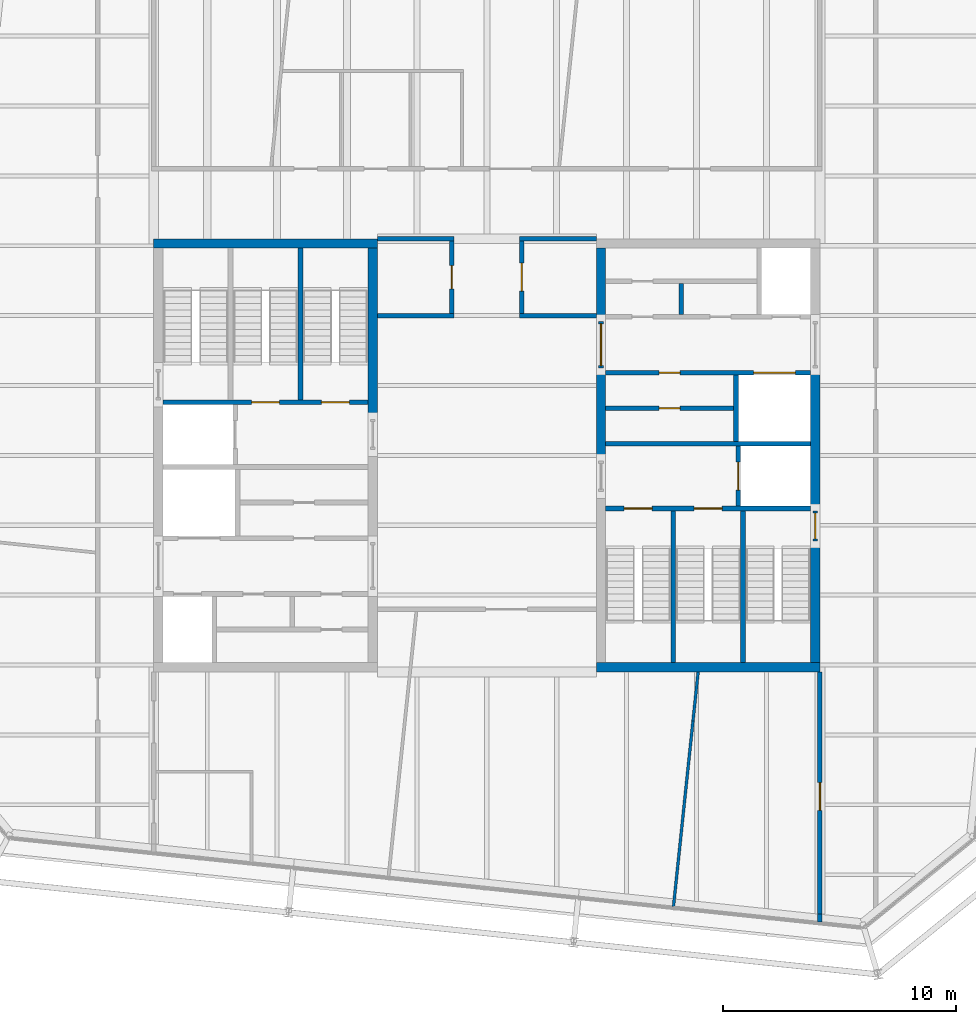
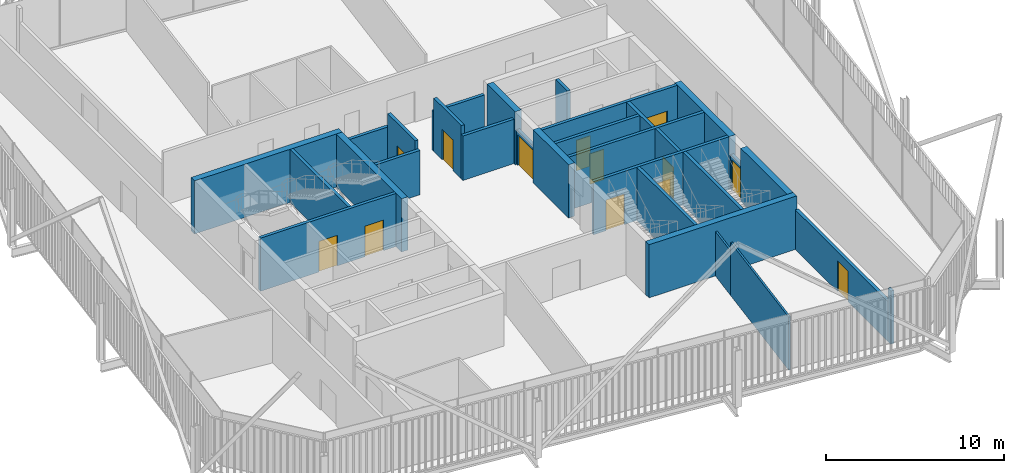
# One storey, part 18 of 21: 30 walls, 13 doors, 13 openings.
"""IFC4 building model written with IfcOpenShell, lengths in metres."""

import ifcopenshell
import ifcopenshell.guid

model = None  # the IFC model being written
_history = None  # IfcOwnerHistory: only IFC2X3 demands one
_inside = {}  # id of a spatial element -> (the spatial element, [elements in it])
_under = {}  # id of a project, library or spatial element -> (it, [spatial elements below it])
_declared = {}  # id of a project -> (the project, [libraries it declares])
_typed = {}  # id of a type object -> (the type object, [elements of that type])
_made_of = {}  # id of a material, layer set ... -> (it, [elements and type objects made of it])


def new_model(schema):
    """Start an empty IFC model of exactly this schema.

    Asked for "IFC4X3", IfcOpenShell would pick the latest addendum, in which some entities
    have other attributes; the version numbers below select the first issue.
    IFC2X3 requires an IfcOwnerHistory on every rooted entity: one is made here for all.
    """
    global model, _history
    if schema == "IFC4X3":
        model = ifcopenshell.file(schema_version=(4, 3, 0, 0))
    else:
        model = ifcopenshell.file(schema=schema)
    _inside.clear()
    _under.clear()
    _declared.clear()
    _typed.clear()
    _made_of.clear()
    _history = None
    if model.schema == "IFC2X3":
        org = make("IfcOrganization", Name="unknown")
        user = make(
            "IfcPersonAndOrganization",
            ThePerson=make("IfcPerson", FamilyName="unknown"),
            TheOrganization=org,
        )
        app = make(
            "IfcApplication",
            ApplicationDeveloper=org,
            Version="unknown",
            ApplicationFullName="unknown",
            ApplicationIdentifier="unknown",
        )
        _history = make(
            "IfcOwnerHistory",
            OwningUser=user,
            OwningApplication=app,
            ChangeAction="ADDED",
            CreationDate=0,
        )
    return model


def make(cls, **values):
    """One entity of the class cls with the attributes given. An attribute that is None is left unset."""
    return model.create_entity(
        cls, **{name: value for name, value in values.items() if value is not None}
    )


def rooted(cls, **values):
    """An entity with a GlobalId (a new one), such as an element, a storey or a relation."""
    return make(cls, GlobalId=ifcopenshell.guid.new(), OwnerHistory=_history, **values)


def si_unit(unit_type, name, prefix=None):
    """IfcSIUnit, for example si_unit("LENGTHUNIT", "METRE", prefix="MILLI")."""
    return make("IfcSIUnit", UnitType=unit_type, Prefix=prefix, Name=name)


def assignment(units):
    """IfcUnitAssignment: the units of a project."""
    return None if units is None else make("IfcUnitAssignment", Units=units)


def point(xyz):
    """IfcCartesianPoint."""
    return None if xyz is None else make("IfcCartesianPoint", Coordinates=xyz)


def direction(xyz):
    """IfcDirection."""
    return None if xyz is None else make("IfcDirection", DirectionRatios=xyz)


def frame(location, z_axis=None, x_axis=None):
    """IfcAxis2Placement3D, a coordinate frame: its origin and axes. An axis left out is left unset."""
    return make(
        "IfcAxis2Placement3D",
        Location=point(location),
        Axis=direction(z_axis),
        RefDirection=direction(x_axis),
    )


def frame_2d(location, x_axis=None):
    """IfcAxis2Placement2D, a coordinate frame in the plane: its origin and x axis."""
    return make(
        "IfcAxis2Placement2D", Location=point(location), RefDirection=direction(x_axis)
    )


def origin():
    """The frame at (0, 0, 0) with its axes left unset."""
    return frame((0.0, 0.0, 0.0))


def place(relative_to, where):
    """IfcLocalPlacement: puts the frame where relative to a parent placement (None: the world)."""
    return make(
        "IfcLocalPlacement", PlacementRelTo=relative_to, RelativePlacement=where
    )


def context(
    kind, dimensions, precision=None, world=None, true_north=None, identifier=None
):
    """IfcGeometricRepresentationContext, for example the 3D "Model" context."""
    return make(
        "IfcGeometricRepresentationContext",
        ContextIdentifier=identifier,
        ContextType=kind,
        CoordinateSpaceDimension=dimensions,
        Precision=precision,
        WorldCoordinateSystem=world,
        TrueNorth=true_north,
    )


def subcontext(parent, identifier, kind, view, scale=None):
    """IfcGeometricRepresentationSubContext, for example "Body" below "Model"."""
    return make(
        "IfcGeometricRepresentationSubContext",
        ContextIdentifier=identifier,
        ContextType=kind,
        ParentContext=parent,
        TargetScale=scale,
        TargetView=view,
    )


def project(units=None, contexts=None):
    """IfcProject with its units and contexts."""
    return rooted(
        "IfcProject",
        Name="project",
        RepresentationContexts=contexts,
        UnitsInContext=assignment(units),
    )


def spatial(cls, under=None, at=None, **own):
    """A site, building, storey or space (cls), placed at a placement, below another one or the project."""
    s = rooted(cls, ObjectPlacement=at, **own)
    if under is not None:
        _under.setdefault(under.id(), (under, []))[1].append(s)
    return s


def profile(cls, at=None, kind="AREA", **sizes):
    """A parametric profile (cls). Its sizes go by their IFC names, for example OverallWidth=200.0."""
    return make(cls, ProfileType=kind, Position=at, **sizes)


def rectangle(**sizes):
    """IfcRectangleProfileDef."""
    return profile("IfcRectangleProfileDef", **sizes)


def extrude(swept, where, along, depth):
    """IfcExtrudedAreaSolid: the profile swept, set in the frame where, extruded along a direction by depth."""
    return make(
        "IfcExtrudedAreaSolid",
        SweptArea=swept,
        Position=where,
        ExtrudedDirection=direction(along),
        Depth=depth,
    )


def shape(context_of_items, identifier, shape_type, items):
    """IfcShapeRepresentation: the items that make up one representation, for example the "Body"."""
    return make(
        "IfcShapeRepresentation",
        ContextOfItems=context_of_items,
        RepresentationIdentifier=identifier,
        RepresentationType=shape_type,
        Items=items,
    )


def material(Name=None, Category=None):
    """IfcMaterial."""
    return make("IfcMaterial", Name=Name, Category=Category)


def layer(
    of_material, thickness, ventilated=None, Name=None, Category=None, Priority=None
):
    """IfcMaterialLayer: one layer of a wall or slab, of a material (None: an air gap)."""
    return make(
        "IfcMaterialLayer",
        Material=of_material,
        LayerThickness=thickness,
        IsVentilated=ventilated,
        Name=Name,
        Category=Category,
        Priority=Priority,
    )


def layer_set(layers, Name=None):
    """IfcMaterialLayerSet."""
    return make("IfcMaterialLayerSet", MaterialLayers=layers, LayerSetName=Name)


def made_of(thing, what):
    """Note that an element or type object is made of a material, layer set ...; save() writes the relation."""
    if what is not None:
        _made_of.setdefault(what.id(), (what, []))[1].append(thing)
    return thing


def type_object(cls, material=None, **own):
    """A type object (cls), such as IfcWallType, which elements share."""
    return made_of(rooted(cls, **own), material)


def element(
    cls,
    number,
    at=None,
    inside=None,
    cuts=None,
    type_object=None,
    material=None,
    context=None,
    identifier="Body",
    shape_type=None,
    held_by="IfcProductDefinitionShape",
    body=None,
    shapes=None,
    **own,
):
    """One element of the class cls, such as IfcWall. Its Tag is "e" and its number.

    at: its placement. inside: the storey or other place that contains it. cuts: it is an
    opening in that element (IfcRelVoidsElement). A single representation is given by context,
    identifier, shape_type and body (its items); several are given by shapes. held_by: the class
    of the entity that holds the representations. save() writes the other relations.
    """
    e = rooted(cls, Tag="e%d" % number, ObjectPlacement=at, **own)
    if body is not None:
        shapes = [shape(context, identifier, shape_type, body)]
    if shapes is not None:
        e.Representation = make(held_by, Representations=shapes)
    if inside is not None:
        _inside.setdefault(inside.id(), (inside, []))[1].append(e)
    if cuts is not None:
        rooted(
            "IfcRelVoidsElement", RelatingBuildingElement=cuts, RelatedOpeningElement=e
        )
    if type_object is not None:
        _typed.setdefault(type_object.id(), (type_object, []))[1].append(e)
    return made_of(e, material)


def fill(opening, filler):
    """IfcRelFillsElement: the door or window that sits in an opening."""
    return rooted(
        "IfcRelFillsElement",
        RelatingOpeningElement=opening,
        RelatedBuildingElement=filler,
    )


def aggregate(whole, parts):
    """IfcRelAggregates: a whole, such as a stair, and the parts it consists of."""
    return rooted("IfcRelAggregates", RelatingObject=whole, RelatedObjects=parts)


def save(model, path):
    """Write the relations noted so far, then the file.

    IfcRelAggregates (storeys below a building ...), IfcRelContainedInSpatialStructure (elements
    in a storey), IfcRelDefinesByType, IfcRelAssociatesMaterial and IfcRelDeclares: one each for
    every whole, place, type object, material and project.
    """
    for whole, parts in _under.values():
        aggregate(whole, parts)
    for where, things in _inside.values():
        rooted(
            "IfcRelContainedInSpatialStructure",
            RelatedElements=things,
            RelatingStructure=where,
        )
    for kind, things in _typed.values():
        rooted("IfcRelDefinesByType", RelatedObjects=things, RelatingType=kind)
    for what, things in _made_of.values():
        rooted("IfcRelAssociatesMaterial", RelatedObjects=things, RelatingMaterial=what)
    for by, libraries in _declared.values():
        rooted("IfcRelDeclares", RelatingContext=by, RelatedDefinitions=libraries)
    model.write(path)


model = new_model("IFC4")

# Units and contexts
model_context = context("Model", 3, precision=1e-05, world=origin(), true_north=direction((0.0, 1.0)))
body_context = subcontext(model_context, "Body", "Model", "MODEL_VIEW")
ifc_project = project(units=[si_unit("LENGTHUNIT", "METRE"), si_unit("AREAUNIT", "SQUARE_METRE"), si_unit("VOLUMEUNIT", "CUBIC_METRE"), si_unit("PLANEANGLEUNIT", "RADIAN"), si_unit("MASSUNIT", "GRAM", prefix="KILO")], contexts=[model_context])

# Site, building, storey
site_placement = place(None, origin())
site = spatial("IfcSite", under=ifc_project, at=site_placement, CompositionType="ELEMENT")
building_placement = place(site_placement, origin())
building = spatial("IfcBuilding", under=site, at=building_placement, Name="Millrace Tower", CompositionType="ELEMENT")
storey_placement = place(building_placement, frame((0.0, 0.0, 307.199951171875)))
storey = spatial("IfcBuildingStorey", under=building, at=storey_placement, Name="L71", CompositionType="ELEMENT", Elevation=307.199951171875)

# Walls
ifc_material_1 = material(Name="Concrete C60", Category="concrete")
ifc_layer_1 = layer(ifc_material_1, 0.39990234375)
ifc_layer_set_1 = layer_set([ifc_layer_1], Name="Concrete C60")
wall_type_1 = type_object("IfcWallType", Name="Core wall 400 Concrete C60", PredefinedType="SHEAR", material=ifc_layer_set_1)
wall_1_placement = place(storey_placement, frame((-14.300048828125, 9.10009765625, 0.0), z_axis=(0.0, 0.0, 1.0), x_axis=(1.0, 0.0, 0.0)))
element("IfcWall", 1, at=wall_1_placement, inside=storey, type_object=wall_type_1, Name="Core wall W L71", PredefinedType="SHEAR", context=body_context, shape_type="SweptSolid", body=[
    extrude(rectangle(XDim=9.60009765625, YDim=0.39990234375, at=frame_2d((4.800048828125, 0.0))), origin(), (0.0, 0.0, 1.0), 3.650146484375),
])
wall_2_placement = place(storey_placement, frame((-4.89990234375, 1.550048828125, 0.0), z_axis=(0.0, 0.0, 1.0), x_axis=(0.0, 1.0, 0.0)))
element("IfcWall", 2, at=wall_2_placement, inside=storey, type_object=wall_type_1, Name="Core wall W L71", PredefinedType="SHEAR", context=body_context, shape_type="SweptSolid", body=[
    extrude(rectangle(XDim=7.349853515625, YDim=0.39990234375, at=frame_2d((3.6748046875, 0.0))), origin(), (0.0, 0.0, 1.0), 3.650146484375),
])
wall_3_placement = place(storey_placement, frame((14.300048828125, -9.10009765625, 0.0), z_axis=(0.0, 0.0, 1.0), x_axis=(-1.0, 0.0, 0.0)))
element("IfcWall", 3, at=wall_3_placement, inside=storey, type_object=wall_type_1, Name="Core wall E L71", PredefinedType="SHEAR", context=body_context, shape_type="SweptSolid", body=[
    extrude(rectangle(XDim=9.60009765625, YDim=0.39990234375, at=frame_2d((4.800048828125, 0.0))), origin(), (0.0, 0.0, 1.0), 3.650146484375),
])
wall_4_placement = place(storey_placement, frame((14.10009765625, 3.75, 0.0), z_axis=(0.0, 0.0, 1.0), x_axis=(0.0, -1.0, 0.0)))
element("IfcWall", 4, at=wall_4_placement, inside=storey, type_object=wall_type_1, Name="Core wall E L71", PredefinedType="SHEAR", context=body_context, shape_type="SweptSolid", body=[
    extrude(rectangle(XDim=6.1298828125, YDim=0.39990234375, at=frame_2d((3.06494140625, 0.0))), origin(), (0.0, 0.0, 1.0), 3.650146484375),
])
wall_5_placement = place(storey_placement, frame((14.10009765625, -3.679931640625, 0.0), z_axis=(0.0, 0.0, 1.0), x_axis=(0.0, -1.0, 0.0)))
element("IfcWall", 5, at=wall_5_placement, inside=storey, type_object=wall_type_1, Name="Core wall E L71", PredefinedType="SHEAR", context=body_context, shape_type="SweptSolid", body=[
    extrude(rectangle(XDim=5.219970703125, YDim=0.39990234375, at=frame_2d((2.60986328125, 0.0))), origin(), (0.0, 0.0, 1.0), 3.650146484375),
])
wall_6_placement = place(storey_placement, frame((4.89990234375, 8.89990234375, 0.0), z_axis=(0.0, 0.0, 1.0), x_axis=(0.0, -1.0, 0.0)))
element("IfcWall", 6, at=wall_6_placement, inside=storey, type_object=wall_type_1, Name="Core wall E L71", PredefinedType="SHEAR", context=body_context, shape_type="SweptSolid", body=[
    extrude(rectangle(XDim=3.14990234375, YDim=0.39990234375, at=frame_2d((1.574951171875, 0.0))), origin(), (0.0, 0.0, 1.0), 3.650146484375),
])
wall_7_placement = place(storey_placement, frame((4.89990234375, 3.75, 0.0), z_axis=(0.0, 0.0, 1.0), x_axis=(0.0, -1.0, 0.0)))
element("IfcWall", 7, at=wall_7_placement, inside=storey, type_object=wall_type_1, Name="Core wall E L71", PredefinedType="SHEAR", context=body_context, shape_type="SweptSolid", body=[
    extrude(rectangle(XDim=4.0, YDim=0.39990234375, at=frame_2d((2.0, 0.0))), origin(), (0.0, 0.0, 1.0), 3.650146484375),
])
ifc_material_2 = material(Name="Masonry partition, fire-rated", Category="masonry")
ifc_layer_2 = layer(ifc_material_2, 0.199951171875)
ifc_layer_set_2 = layer_set([ifc_layer_2], Name="Masonry partition, fire-rated")
wall_type_2 = type_object("IfcWallType", Name="Corridor wall 200", PredefinedType="PARTITIONING", material=ifc_layer_set_2)
for number, where, z_axis, x_axis, name in (
    (8, (-4.699951171875, 6.0, 0.0), (0.0, 0.0, 1.0), (1.0, 0.0, 0.0), "Corridor wall L71"),
    (9, (1.39990234375, 6.0, 0.0), (0.0, 0.0, 1.0), (1.0, 0.0, 0.0), "Corridor wall L71"),
):
    element("IfcWall", number, at=place(storey_placement, frame(where, z_axis=z_axis, x_axis=x_axis)), inside=storey, type_object=wall_type_2, Name=name, PredefinedType="PARTITIONING", context=body_context, shape_type="SweptSolid", body=[
        extrude(rectangle(XDim=3.300048828125, YDim=0.199951171875, at=frame_2d((1.64990234375, 0.0))), origin(), (0.0, 0.0, 1.0), 3.050537109375),
    ])
for number, where, z_axis, x_axis, name in (
    (10, (-4.699951171875, 9.300048828125, 0.0), (0.0, 0.0, 1.0), (1.0, 0.0, 0.0), "Corridor wall L71"),
    (11, (1.39990234375, 9.300048828125, 0.0), (0.0, 0.0, 1.0), (1.0, 0.0, 0.0), "Corridor wall L71"),
):
    element("IfcWall", number, at=place(storey_placement, frame(where, z_axis=z_axis, x_axis=x_axis)), inside=storey, type_object=wall_type_2, Name=name, PredefinedType="PARTITIONING", context=body_context, shape_type="SweptSolid", body=[
        extrude(rectangle(XDim=3.300048828125, YDim=0.199951171875, at=frame_2d((1.64990234375, 0.0))), origin(), (0.0, 0.0, 1.0), 2.722900390625),
    ])
wall_8_placement = place(storey_placement, frame((14.300048828125, -20.037353515625, 0.0), z_axis=(0.0, 0.0, 1.0), x_axis=(0.0, 1.0, 0.0)))
element("IfcWall", 12, at=wall_8_placement, inside=storey, type_object=wall_type_2, Name="Corridor wall L71", PredefinedType="PARTITIONING", context=body_context, shape_type="SweptSolid", body=[
    extrude(rectangle(XDim=0.339111328125, YDim=0.199951171875, at=frame_2d((0.16943359375, 0.0))), origin(), (0.0, 0.0, 1.0), 3.650146484375),
])

# Wall, opening, door
wall_9_placement = place(storey_placement, frame((14.300048828125, -19.6982421875, 0.0), z_axis=(0.0, 0.0, 1.0), x_axis=(0.0, 1.0, 0.0)))
wall_9 = element("IfcWall", 13, at=wall_9_placement, inside=storey, type_object=wall_type_2, Name="Corridor wall L71", PredefinedType="PARTITIONING", context=body_context, shape_type="SweptSolid", body=[
    extrude(rectangle(XDim=10.398193359375, YDim=0.199951171875, at=frame_2d((5.19921875, 0.0))), origin(), (0.0, 0.0, 1.0), 2.722900390625),
])
opening_1_placement = place(wall_9_placement, frame((4.454833984375, 0.0, 0.0)))
opening_1 = element("IfcOpeningElement", 14, at=opening_1_placement, cuts=wall_9, Name="Opening 71-P013", PredefinedType="OPENING", context=body_context, shape_type="SweptSolid", body=[
    extrude(rectangle(XDim=1.199951171875, YDim=2.10009765625, at=frame_2d((0.60009765625, 1.050048828125))), frame((0.0, 0.10986328125, 0.0), z_axis=(0.0, -1.0, 0.0), x_axis=(1.0, 0.0, 0.0)), (0.0, 0.0, 1.0), 0.219970703125),
])
ifc_material_3 = material(Name="Steel door set, fire-rated", Category="steel")
door_type_1 = type_object("IfcDoorType", Name="Corridor door 1200 x 2100", OperationType="SINGLE_SWING_LEFT", PredefinedType="DOOR", material=ifc_material_3)
door_1_placement = place(opening_1_placement, origin())
door_1 = element("IfcDoor", 15, at=door_1_placement, inside=storey, type_object=door_type_1, Name="Door 71-P013", OperationType="SINGLE_SWING_RIGHT", OverallHeight=2.10009765625, OverallWidth=1.199951171875, PredefinedType="DOOR", context=body_context, shape_type="SweptSolid", body=[
    extrude(rectangle(XDim=1.199951171875, YDim=2.10009765625, at=frame_2d((0.60009765625, 1.050048828125))), frame((0.0, 0.02490234375, 0.0), z_axis=(0.0, -1.0, 0.0), x_axis=(1.0, 0.0, 0.0)), (0.0, 0.0, 1.0), 0.050048828125),
])
fill(opening_1, door_1)

wall_10_placement = place(storey_placement, frame((1.5, 6.10009765625, 0.0), z_axis=(0.0, 0.0, 1.0), x_axis=(0.0, 1.0, 0.0)))
wall_10 = element("IfcWall", 16, at=wall_10_placement, inside=storey, type_object=wall_type_2, Name="Corridor wall L71", PredefinedType="PARTITIONING", context=body_context, shape_type="SweptSolid", body=[
    extrude(rectangle(XDim=3.099853515625, YDim=0.199951171875, at=frame_2d((1.5498046875, 0.0))), origin(), (0.0, 0.0, 1.0), 3.650146484375),
])
opening_2_placement = place(wall_10_placement, frame((0.949951171875, 0.0, 0.0)))
opening_2 = element("IfcOpeningElement", 17, at=opening_2_placement, cuts=wall_10, Name="Opening 71-P002", PredefinedType="OPENING", context=body_context, shape_type="SweptSolid", body=[
    extrude(rectangle(XDim=1.199951171875, YDim=2.10009765625, at=frame_2d((0.60009765625, 1.050048828125))), frame((0.0, 0.10986328125, 0.0), z_axis=(0.0, -1.0, 0.0), x_axis=(1.0, 0.0, 0.0)), (0.0, 0.0, 1.0), 0.219970703125),
])
door_2_placement = place(opening_2_placement, frame((1.199951171875, 0.0, 0.0), z_axis=(0.0, 0.0, 1.0), x_axis=(-1.0, 0.0, 0.0)))
door_2 = element("IfcDoor", 18, at=door_2_placement, inside=storey, type_object=door_type_1, Name="Door 71-P002", OperationType="SINGLE_SWING_RIGHT", OverallHeight=2.10009765625, OverallWidth=1.199951171875, PredefinedType="DOOR", context=body_context, shape_type="SweptSolid", body=[
    extrude(rectangle(XDim=1.199951171875, YDim=2.10009765625, at=frame_2d((0.60009765625, 1.050048828125))), frame((0.0, 0.02490234375, 0.0), z_axis=(0.0, -1.0, 0.0), x_axis=(1.0, 0.0, 0.0)), (0.0, 0.0, 1.0), 0.050048828125),
])
fill(opening_2, door_2)

wall_11_placement = place(storey_placement, frame((-1.5, 6.10009765625, 0.0), z_axis=(0.0, 0.0, 1.0), x_axis=(0.0, 1.0, 0.0)))
wall_11 = element("IfcWall", 19, at=wall_11_placement, inside=storey, type_object=wall_type_2, Name="Corridor wall L71", PredefinedType="PARTITIONING", context=body_context, shape_type="SweptSolid", body=[
    extrude(rectangle(XDim=3.099853515625, YDim=0.199951171875, at=frame_2d((1.5498046875, 0.0))), origin(), (0.0, 0.0, 1.0), 3.650146484375),
])
opening_3_placement = place(wall_11_placement, frame((1.050048828125, 0.0, 0.0)))
opening_3 = element("IfcOpeningElement", 20, at=opening_3_placement, cuts=wall_11, Name="Opening 71-P001", PredefinedType="OPENING", context=body_context, shape_type="SweptSolid", body=[
    extrude(rectangle(XDim=1.0, YDim=2.10009765625, at=frame_2d((0.5, 1.050048828125))), frame((0.0, 0.10986328125, 0.0), z_axis=(0.0, -1.0, 0.0), x_axis=(1.0, 0.0, 0.0)), (0.0, 0.0, 1.0), 0.219970703125),
])
ifc_material_4 = material(Name="Steel door set, fire-rated", Category="steel")
door_type_2 = type_object("IfcDoorType", Name="Corridor door 1000 x 2100", OperationType="SINGLE_SWING_LEFT", PredefinedType="DOOR", material=ifc_material_4)
door_3_placement = place(opening_3_placement, origin())
door_3 = element("IfcDoor", 21, at=door_3_placement, inside=storey, type_object=door_type_2, Name="Door 71-P001", OperationType="SINGLE_SWING_LEFT", OverallHeight=2.10009765625, OverallWidth=1.0, PredefinedType="DOOR", context=body_context, shape_type="SweptSolid", body=[
    extrude(rectangle(XDim=1.0, YDim=2.10009765625, at=frame_2d((0.5, 1.050048828125))), frame((0.0, 0.02490234375, 0.0), z_axis=(0.0, -1.0, 0.0), x_axis=(1.0, 0.0, 0.0)), (0.0, 0.0, 1.0), 0.050048828125),
])
fill(opening_3, door_3)

# Wall, openings, doors
ifc_material_5 = material(Name="Masonry partition, fire-rated", Category="masonry")
ifc_layer_3 = layer(ifc_material_5, 0.199951171875)
ifc_layer_set_3 = layer_set([ifc_layer_3], Name="Masonry partition, fire-rated")
wall_type_3 = type_object("IfcWallType", Name="Lift shaft wall 200", PredefinedType="PARTITIONING", material=ifc_layer_set_3)
wall_12_placement = place(storey_placement, frame((13.89990234375, 3.550048828125, 0.0), z_axis=(0.0, 0.0, 1.0), x_axis=(-1.0, 0.0, 0.0)))
wall_12 = element("IfcWall", 22, at=wall_12_placement, inside=storey, type_object=wall_type_3, Name="Lift shaft wall E L71", PredefinedType="PARTITIONING", context=body_context, shape_type="SweptSolid", body=[
    extrude(rectangle(XDim=8.7998046875, YDim=0.199951171875, at=frame_2d((4.39990234375, 0.0))), origin(), (0.0, 0.0, 1.0), 3.650146484375),
])
opening_4_placement = place(wall_12_placement, frame((0.64990234375, 0.0, 0.0)))
opening_4 = element("IfcOpeningElement", 23, at=opening_4_placement, cuts=wall_12, Name="Opening 71-LD13", PredefinedType="OPENING", context=body_context, shape_type="SweptSolid", body=[
    extrude(rectangle(XDim=1.800048828125, YDim=2.10009765625, at=frame_2d((0.89990234375, 1.050048828125))), frame((0.0, 0.10986328125, 0.0), z_axis=(0.0, -1.0, 0.0), x_axis=(1.0, 0.0, 0.0)), (0.0, 0.0, 1.0), 0.219970703125),
])
opening_5_placement = place(wall_12_placement, frame((5.60009765625, 0.0, 0.0)))
opening_5 = element("IfcOpeningElement", 24, at=opening_5_placement, cuts=wall_12, Name="Opening 71-C019", PredefinedType="OPENING", context=body_context, shape_type="SweptSolid", body=[
    extrude(rectangle(XDim=0.89990234375, YDim=2.10009765625, at=frame_2d((0.449951171875, 1.050048828125))), frame((0.0, 0.10986328125, 0.0), z_axis=(0.0, -1.0, 0.0), x_axis=(1.0, 0.0, 0.0)), (0.0, 0.0, 1.0), 0.219970703125),
])
ifc_material_6 = material(Name="Stainless steel, fire-rated", Category="steel")
door_type_3 = type_object("IfcDoorType", Name="Lift landing door 1800 x 2100", OperationType="DOUBLE_DOOR_SLIDING", PredefinedType="DOOR", material=ifc_material_6)
door_4_placement = place(opening_4_placement, origin())
door_4 = element("IfcDoor", 25, at=door_4_placement, inside=storey, type_object=door_type_3, Name="Lift landing door LF13 L71", OperationType="DOUBLE_DOOR_SLIDING", OverallHeight=2.10009765625, OverallWidth=1.800048828125, PredefinedType="DOOR", context=body_context, shape_type="SweptSolid", body=[
    extrude(rectangle(XDim=1.800048828125, YDim=2.10009765625, at=frame_2d((0.89990234375, 1.050048828125))), frame((0.0, 0.02490234375, 0.0), z_axis=(0.0, -1.0, 0.0), x_axis=(1.0, 0.0, 0.0)), (0.0, 0.0, 1.0), 0.050048828125),
])
fill(opening_4, door_4)
ifc_material_7 = material(Name="Steel door, fire-rated", Category="steel")
door_type_4 = type_object("IfcDoorType", Name="Service room door 900 x 2100", OperationType="SINGLE_SWING_LEFT", PredefinedType="DOOR", material=ifc_material_7)
door_5_placement = place(opening_5_placement, frame((0.89990234375, 0.0, 0.0), z_axis=(0.0, 0.0, 1.0), x_axis=(-1.0, 0.0, 0.0)))
door_5 = element("IfcDoor", 26, at=door_5_placement, inside=storey, type_object=door_type_4, Name="Service room door 71-C019", OperationType="SINGLE_SWING_LEFT", OverallHeight=2.10009765625, OverallWidth=0.89990234375, PredefinedType="DOOR", context=body_context, shape_type="SweptSolid", body=[
    extrude(rectangle(XDim=0.89990234375, YDim=2.10009765625, at=frame_2d((0.449951171875, 1.050048828125))), frame((0.0, 0.02490234375, 0.0), z_axis=(0.0, -1.0, 0.0), x_axis=(1.0, 0.0, 0.0)), (0.0, 0.0, 1.0), 0.050048828125),
])
fill(opening_5, door_5)

# Wall
wall_13_placement = place(storey_placement, frame((13.89990234375, 0.5, 0.0), z_axis=(0.0, 0.0, 1.0), x_axis=(-1.0, 0.0, 0.0)))
element("IfcWall", 27, at=wall_13_placement, inside=storey, type_object=wall_type_3, Name="Lift shaft wall E L71", PredefinedType="PARTITIONING", context=body_context, shape_type="SweptSolid", body=[
    extrude(rectangle(XDim=8.7998046875, YDim=0.199951171875, at=frame_2d((4.39990234375, 0.0))), origin(), (0.0, 0.0, 1.0), 3.650146484375),
])

# Wall, opening, door
wall_14_placement = place(storey_placement, frame((10.800048828125, 0.39990234375, 0.0), z_axis=(0.0, 0.0, 1.0), x_axis=(0.0, -1.0, 0.0)))
wall_14 = element("IfcWall", 28, at=wall_14_placement, inside=storey, type_object=wall_type_3, Name="Lift shaft wall E L71", PredefinedType="PARTITIONING", context=body_context, shape_type="SweptSolid", body=[
    extrude(rectangle(XDim=2.579833984375, YDim=0.199951171875, at=frame_2d((1.2900390625, 0.0))), origin(), (0.0, 0.0, 1.0), 3.650146484375),
])
opening_6_placement = place(wall_14_placement, frame((0.68994140625, 0.0, 0.0)))
opening_6 = element("IfcOpeningElement", 29, at=opening_6_placement, cuts=wall_14, Name="Opening 71-LD16", PredefinedType="OPENING", context=body_context, shape_type="SweptSolid", body=[
    extrude(rectangle(XDim=1.199951171875, YDim=2.10009765625, at=frame_2d((0.60009765625, 1.050048828125))), frame((0.0, 0.10986328125, 0.0), z_axis=(0.0, -1.0, 0.0), x_axis=(1.0, 0.0, 0.0)), (0.0, 0.0, 1.0), 0.219970703125),
])
ifc_material_8 = material(Name="Stainless steel, fire-rated", Category="steel")
door_type_5 = type_object("IfcDoorType", Name="Lift landing door 1200 x 2100", OperationType="DOUBLE_DOOR_SLIDING", PredefinedType="DOOR", material=ifc_material_8)
door_6_placement = place(opening_6_placement, origin())
door_6 = element("IfcDoor", 30, at=door_6_placement, inside=storey, type_object=door_type_5, Name="Lift landing door LF16 L71", OperationType="DOUBLE_DOOR_SLIDING", OverallHeight=2.10009765625, OverallWidth=1.199951171875, PredefinedType="DOOR", context=body_context, shape_type="SweptSolid", body=[
    extrude(rectangle(XDim=1.199951171875, YDim=2.10009765625, at=frame_2d((0.60009765625, 1.050048828125))), frame((0.0, 0.02490234375, 0.0), z_axis=(0.0, -1.0, 0.0), x_axis=(1.0, 0.0, 0.0)), (0.0, 0.0, 1.0), 0.050048828125),
])
fill(opening_6, door_6)

# Wall
wall_15_placement = place(storey_placement, frame((10.699951171875, 3.449951171875, 0.0), z_axis=(0.0, 0.0, 1.0), x_axis=(0.0, -1.0, 0.0)))
element("IfcWall", 31, at=wall_15_placement, inside=storey, type_object=wall_type_3, Name="Lift shaft wall E L71", PredefinedType="PARTITIONING", context=body_context, shape_type="SweptSolid", body=[
    extrude(rectangle(XDim=2.849853515625, YDim=0.199951171875, at=frame_2d((1.4248046875, 0.0))), origin(), (0.0, 0.0, 1.0), 3.650146484375),
])

# Wall, opening, door
ifc_material_9 = material(Name="Masonry partition, fire-rated", Category="masonry")
ifc_layer_4 = layer(ifc_material_9, 0.199951171875)
ifc_layer_set_4 = layer_set([ifc_layer_4], Name="Masonry partition, fire-rated")
wall_type_4 = type_object("IfcWallType", Name="Lobby wall 200", PredefinedType="PARTITIONING", material=ifc_layer_set_4)
wall_16_placement = place(storey_placement, frame((4.89990234375, 5.75, 0.0), z_axis=(0.0, 0.0, 1.0), x_axis=(0.0, -1.0, 0.0)))
wall_16 = element("IfcWall", 32, at=wall_16_placement, inside=storey, type_object=wall_type_4, Name="Lobby wall E L71", PredefinedType="PARTITIONING", context=body_context, shape_type="SweptSolid", body=[
    extrude(rectangle(XDim=2.0, YDim=0.199951171875, at=frame_2d((1.0, 0.0))), origin(), (0.0, 0.0, 1.0), 2.400146484375),
])
opening_7_placement = place(wall_16_placement, frame((0.10009765625, 0.0, 0.0)))
opening_7 = element("IfcOpeningElement", 33, at=opening_7_placement, cuts=wall_16, Name="Opening 71-C014", PredefinedType="OPENING", context=body_context, shape_type="SweptSolid", body=[
    extrude(rectangle(XDim=1.800048828125, YDim=2.10009765625, at=frame_2d((0.89990234375, 1.050048828125))), frame((0.0, 0.10986328125, 0.0), z_axis=(0.0, -1.0, 0.0), x_axis=(1.0, 0.0, 0.0)), (0.0, 0.0, 1.0), 0.219970703125),
])
ifc_material_10 = material(Name="Steel door, fire-rated", Category="steel")
door_type_6 = type_object("IfcDoorType", Name="Lobby door 1800 x 2100", OperationType="DOUBLE_DOOR_SINGLE_SWING", PredefinedType="DOOR", material=ifc_material_10)
door_7_placement = place(opening_7_placement, frame((1.800048828125, 0.0, 0.0), z_axis=(0.0, 0.0, 1.0), x_axis=(-1.0, 0.0, 0.0)))
door_7 = element("IfcDoor", 34, at=door_7_placement, inside=storey, type_object=door_type_6, Name="Lobby door 71-C014", OperationType="DOUBLE_DOOR_SINGLE_SWING", OverallHeight=2.10009765625, OverallWidth=1.800048828125, PredefinedType="DOOR", context=body_context, shape_type="SweptSolid", body=[
    extrude(rectangle(XDim=1.800048828125, YDim=2.10009765625, at=frame_2d((0.89990234375, 1.050048828125))), frame((0.0, 0.02490234375, 0.0), z_axis=(0.0, -1.0, 0.0), x_axis=(1.0, 0.0, 0.0)), (0.0, 0.0, 1.0), 0.050048828125),
])
fill(opening_7, door_7)

# Walls
ifc_material_11 = material(Name="Gypsum board partition")
ifc_layer_5 = layer(ifc_material_11, 0.1201171875)
ifc_layer_set_5 = layer_set([ifc_layer_5], Name="Gypsum board partition")
wall_type_5 = type_object("IfcWallType", Name="Partition wall 120", PredefinedType="PARTITIONING", material=ifc_layer_set_5)
wall_17_placement = place(storey_placement, frame((8.0126953125, -19.376708984375, 0.0), z_axis=(0.0, 0.0, 1.0), x_axis=(0.104553276341, 0.994519287096, 0.0)))
element("IfcWall", 35, at=wall_17_placement, inside=storey, type_object=wall_type_5, Name="Partition wall L71", PredefinedType="PARTITIONING", context=body_context, shape_type="SweptSolid", body=[
    extrude(rectangle(XDim=8.02099609375, YDim=0.1201171875, at=frame_2d((4.010498046875, 0.0))), origin(), (0.0, 0.0, 1.0), 3.650146484375),
])
wall_18_placement = place(storey_placement, frame((8.851318359375, -11.399658203125, 0.0), z_axis=(0.0, 0.0, 1.0), x_axis=(0.1045403102, 0.994520650134, 0.0)))
element("IfcWall", 36, at=wall_18_placement, inside=storey, type_object=wall_type_5, Name="Partition wall L71", PredefinedType="PARTITIONING", context=body_context, shape_type="SweptSolid", body=[
    extrude(rectangle(XDim=2.111083984375, YDim=0.1201171875, at=frame_2d((1.0556640625, 0.0))), origin(), (0.0, 0.0, 1.0), 3.050537109375),
])
ifc_material_12 = material(Name="Masonry partition, fire-rated", Category="masonry")
ifc_layer_6 = layer(ifc_material_12, 0.199951171875)
ifc_layer_set_6 = layer_set([ifc_layer_6], Name="Masonry partition, fire-rated")
wall_type_6 = type_object("IfcWallType", Name="Room partition 200", PredefinedType="PARTITIONING", material=ifc_layer_set_6)
wall_19_placement = place(storey_placement, frame((8.35009765625, 7.375, 0.0), z_axis=(0.0, 0.0, 1.0), x_axis=(0.0, -1.0, 0.0)))
element("IfcWall", 37, at=wall_19_placement, inside=storey, type_object=wall_type_6, Name="Room partition E L71", PredefinedType="PARTITIONING", context=body_context, shape_type="SweptSolid", body=[
    extrude(rectangle(XDim=1.324951171875, YDim=0.199951171875, at=frame_2d((0.66259765625, 0.0))), origin(), (0.0, 0.0, 1.0), 3.650146484375),
])

# Wall, opening, door
wall_20_placement = place(storey_placement, frame((10.60009765625, 2.02490234375, 0.0), z_axis=(0.0, 0.0, 1.0), x_axis=(-1.0, 0.0, 0.0)))
wall_20 = element("IfcWall", 38, at=wall_20_placement, inside=storey, type_object=wall_type_6, Name="Room partition E L71", PredefinedType="PARTITIONING", context=body_context, shape_type="SweptSolid", body=[
    extrude(rectangle(XDim=5.5, YDim=0.199951171875, at=frame_2d((2.75, 0.0))), origin(), (0.0, 0.0, 1.0), 3.650146484375),
])
opening_8_placement = place(wall_20_placement, frame((2.300048828125, 0.0, 0.0)))
opening_8 = element("IfcOpeningElement", 39, at=opening_8_placement, cuts=wall_20, Name="Opening 71-C020", PredefinedType="OPENING", context=body_context, shape_type="SweptSolid", body=[
    extrude(rectangle(XDim=0.89990234375, YDim=2.10009765625, at=frame_2d((0.449951171875, 1.050048828125))), frame((0.0, 0.10986328125, 0.0), z_axis=(0.0, -1.0, 0.0), x_axis=(1.0, 0.0, 0.0)), (0.0, 0.0, 1.0), 0.219970703125),
])
door_8_placement = place(opening_8_placement, origin())
door_8 = element("IfcDoor", 40, at=door_8_placement, inside=storey, type_object=door_type_4, Name="Service room door 71-C020", OperationType="SINGLE_SWING_RIGHT", OverallHeight=2.10009765625, OverallWidth=0.89990234375, PredefinedType="DOOR", context=body_context, shape_type="SweptSolid", body=[
    extrude(rectangle(XDim=0.89990234375, YDim=2.10009765625, at=frame_2d((0.449951171875, 1.050048828125))), frame((0.0, 0.02490234375, 0.0), z_axis=(0.0, -1.0, 0.0), x_axis=(1.0, 0.0, 0.0)), (0.0, 0.0, 1.0), 0.050048828125),
])
fill(opening_8, door_8)

# Wall, openings, doors
ifc_material_13 = material(Name="Concrete C40", Category="concrete")
ifc_layer_7 = layer(ifc_material_13, 0.199951171875)
ifc_layer_set_7 = layer_set([ifc_layer_7], Name="Concrete C40")
wall_type_7 = type_object("IfcWallType", Name="Stair enclosure wall 200 Concrete C40", PredefinedType="SHEAR", material=ifc_layer_set_7)
wall_21_placement = place(storey_placement, frame((-13.89990234375, 2.280029296875, 0.0), z_axis=(0.0, 0.0, 1.0), x_axis=(1.0, 0.0, 0.0)))
wall_21 = element("IfcWall", 41, at=wall_21_placement, inside=storey, type_object=wall_type_7, Name="Stair enclosure wall W L71", PredefinedType="SHEAR", context=body_context, shape_type="SweptSolid", body=[
    extrude(rectangle(XDim=8.7998046875, YDim=0.199951171875, at=frame_2d((4.39990234375, 0.0))), origin(), (0.0, 0.0, 1.0), 3.650146484375),
])
opening_9_placement = place(wall_21_placement, frame((3.800048828125, 0.0, 0.0)))
opening_9 = element("IfcOpeningElement", 42, at=opening_9_placement, cuts=wall_21, Name="Opening 71-C010", PredefinedType="OPENING", context=body_context, shape_type="SweptSolid", body=[
    extrude(rectangle(XDim=1.199951171875, YDim=2.10009765625, at=frame_2d((0.60009765625, 1.050048828125))), frame((0.0, 0.10986328125, 0.0), z_axis=(0.0, -1.0, 0.0), x_axis=(1.0, 0.0, 0.0)), (0.0, 0.0, 1.0), 0.219970703125),
])
opening_10_placement = place(wall_21_placement, frame((6.800048828125, 0.0, 0.0)))
opening_10 = element("IfcOpeningElement", 43, at=opening_10_placement, cuts=wall_21, Name="Opening 71-C011", PredefinedType="OPENING", context=body_context, shape_type="SweptSolid", body=[
    extrude(rectangle(XDim=1.199951171875, YDim=2.10009765625, at=frame_2d((0.60009765625, 1.050048828125))), frame((0.0, 0.10986328125, 0.0), z_axis=(0.0, -1.0, 0.0), x_axis=(1.0, 0.0, 0.0)), (0.0, 0.0, 1.0), 0.219970703125),
])
ifc_material_14 = material(Name="Steel door, fire-rated", Category="steel")
door_type_7 = type_object("IfcDoorType", Name="Stair door 1200 x 2100", OperationType="SINGLE_SWING_LEFT", PredefinedType="DOOR", material=ifc_material_14)
door_9_placement = place(opening_9_placement, frame((1.199951171875, 0.0, 0.0), z_axis=(0.0, 0.0, 1.0), x_axis=(-1.0, 0.0, 0.0)))
door_9 = element("IfcDoor", 44, at=door_9_placement, inside=storey, type_object=door_type_7, Name="Stair door 71-C010", OperationType="SINGLE_SWING_LEFT", OverallHeight=2.10009765625, OverallWidth=1.199951171875, PredefinedType="DOOR", context=body_context, shape_type="SweptSolid", body=[
    extrude(rectangle(XDim=1.199951171875, YDim=2.10009765625, at=frame_2d((0.60009765625, 1.050048828125))), frame((0.0, 0.02490234375, 0.0), z_axis=(0.0, -1.0, 0.0), x_axis=(1.0, 0.0, 0.0)), (0.0, 0.0, 1.0), 0.050048828125),
])
fill(opening_9, door_9)
door_10_placement = place(opening_10_placement, frame((1.199951171875, 0.0, 0.0), z_axis=(0.0, 0.0, 1.0), x_axis=(-1.0, 0.0, 0.0)))
door_10 = element("IfcDoor", 45, at=door_10_placement, inside=storey, type_object=door_type_7, Name="Stair door 71-C011", OperationType="SINGLE_SWING_LEFT", OverallHeight=2.10009765625, OverallWidth=1.199951171875, PredefinedType="DOOR", context=body_context, shape_type="SweptSolid", body=[
    extrude(rectangle(XDim=1.199951171875, YDim=2.10009765625, at=frame_2d((0.60009765625, 1.050048828125))), frame((0.0, 0.02490234375, 0.0), z_axis=(0.0, -1.0, 0.0), x_axis=(1.0, 0.0, 0.0)), (0.0, 0.0, 1.0), 0.050048828125),
])
fill(opening_10, door_10)

# Wall
wall_22_placement = place(storey_placement, frame((-8.0, 2.3798828125, 0.0), z_axis=(0.0, 0.0, 1.0), x_axis=(0.0, 1.0, 0.0)))
element("IfcWall", 46, at=wall_22_placement, inside=storey, type_object=wall_type_7, Name="Stair enclosure wall W L71", PredefinedType="SHEAR", context=body_context, shape_type="SweptSolid", body=[
    extrude(rectangle(XDim=6.52001953125, YDim=0.199951171875, at=frame_2d((3.260009765625, 0.0))), origin(), (0.0, 0.0, 1.0), 3.650146484375),
])

# Wall, opening, door
wall_23_placement = place(storey_placement, frame((14.10009765625, -2.3798828125, 0.0), z_axis=(0.0, 0.0, 1.0), x_axis=(0.0, -1.0, 0.0)))
wall_23 = element("IfcWall", 47, at=wall_23_placement, inside=storey, type_object=wall_type_7, Name="Stair enclosure wall E L71", PredefinedType="SHEAR", context=body_context, shape_type="SweptSolid", body=[
    extrude(rectangle(XDim=1.300048828125, YDim=0.199951171875, at=frame_2d((0.64990234375, 0.0))), origin(), (0.0, 0.0, 1.0), 2.400146484375),
])
opening_11_placement = place(wall_23_placement, frame((0.10009765625, 0.0, 0.0)))
opening_11 = element("IfcOpeningElement", 48, at=opening_11_placement, cuts=wall_23, Name="Opening 71-C013", PredefinedType="OPENING", context=body_context, shape_type="SweptSolid", body=[
    extrude(rectangle(XDim=1.10009765625, YDim=2.10009765625, at=frame_2d((0.550048828125, 1.050048828125))), frame((0.0, 0.10986328125, 0.0), z_axis=(0.0, -1.0, 0.0), x_axis=(1.0, 0.0, 0.0)), (0.0, 0.0, 1.0), 0.219970703125),
])
ifc_material_15 = material(Name="Steel door, fire-rated", Category="steel")
door_type_8 = type_object("IfcDoorType", Name="Stair door 1100 x 2100", OperationType="SINGLE_SWING_LEFT", PredefinedType="DOOR", material=ifc_material_15)
door_11_placement = place(opening_11_placement, origin())
door_11 = element("IfcDoor", 49, at=door_11_placement, inside=storey, type_object=door_type_8, Name="Stair door 71-C013", OperationType="SINGLE_SWING_RIGHT", OverallHeight=2.10009765625, OverallWidth=1.10009765625, PredefinedType="DOOR", context=body_context, shape_type="SweptSolid", body=[
    extrude(rectangle(XDim=1.10009765625, YDim=2.10009765625, at=frame_2d((0.550048828125, 1.050048828125))), frame((0.0, 0.02490234375, 0.0), z_axis=(0.0, -1.0, 0.0), x_axis=(1.0, 0.0, 0.0)), (0.0, 0.0, 1.0), 0.050048828125),
])
fill(opening_11, door_11)

# Wall, openings, doors
wall_24_placement = place(storey_placement, frame((13.89990234375, -2.280029296875, 0.0), z_axis=(0.0, 0.0, 1.0), x_axis=(-1.0, 0.0, 0.0)))
wall_24 = element("IfcWall", 50, at=wall_24_placement, inside=storey, type_object=wall_type_7, Name="Stair enclosure wall E L71", PredefinedType="SHEAR", context=body_context, shape_type="SweptSolid", body=[
    extrude(rectangle(XDim=8.7998046875, YDim=0.199951171875, at=frame_2d((4.39990234375, 0.0))), origin(), (0.0, 0.0, 1.0), 3.650146484375),
])
opening_12_placement = place(wall_24_placement, frame((3.800048828125, 0.0, 0.0)))
opening_12 = element("IfcOpeningElement", 51, at=opening_12_placement, cuts=wall_24, Name="Opening 71-C021", PredefinedType="OPENING", context=body_context, shape_type="SweptSolid", body=[
    extrude(rectangle(XDim=1.199951171875, YDim=2.10009765625, at=frame_2d((0.60009765625, 1.050048828125))), frame((0.0, 0.10986328125, 0.0), z_axis=(0.0, -1.0, 0.0), x_axis=(1.0, 0.0, 0.0)), (0.0, 0.0, 1.0), 0.219970703125),
])
opening_13_placement = place(wall_24_placement, frame((6.800048828125, 0.0, 0.0)))
opening_13 = element("IfcOpeningElement", 52, at=opening_13_placement, cuts=wall_24, Name="Opening 71-C022", PredefinedType="OPENING", context=body_context, shape_type="SweptSolid", body=[
    extrude(rectangle(XDim=1.199951171875, YDim=2.10009765625, at=frame_2d((0.60009765625, 1.050048828125))), frame((0.0, 0.10986328125, 0.0), z_axis=(0.0, -1.0, 0.0), x_axis=(1.0, 0.0, 0.0)), (0.0, 0.0, 1.0), 0.219970703125),
])
door_12_placement = place(opening_12_placement, frame((1.199951171875, 0.0, 0.0), z_axis=(0.0, 0.0, 1.0), x_axis=(-1.0, 0.0, 0.0)))
door_12 = element("IfcDoor", 53, at=door_12_placement, inside=storey, type_object=door_type_7, Name="Stair door 71-C021", OperationType="SINGLE_SWING_LEFT", OverallHeight=2.10009765625, OverallWidth=1.199951171875, PredefinedType="DOOR", context=body_context, shape_type="SweptSolid", body=[
    extrude(rectangle(XDim=1.199951171875, YDim=2.10009765625, at=frame_2d((0.60009765625, 1.050048828125))), frame((0.0, 0.02490234375, 0.0), z_axis=(0.0, -1.0, 0.0), x_axis=(1.0, 0.0, 0.0)), (0.0, 0.0, 1.0), 0.050048828125),
])
fill(opening_12, door_12)
door_13_placement = place(opening_13_placement, frame((1.199951171875, 0.0, 0.0), z_axis=(0.0, 0.0, 1.0), x_axis=(-1.0, 0.0, 0.0)))
door_13 = element("IfcDoor", 54, at=door_13_placement, inside=storey, type_object=door_type_7, Name="Stair door 71-C022", OperationType="SINGLE_SWING_LEFT", OverallHeight=2.10009765625, OverallWidth=1.199951171875, PredefinedType="DOOR", context=body_context, shape_type="SweptSolid", body=[
    extrude(rectangle(XDim=1.199951171875, YDim=2.10009765625, at=frame_2d((0.60009765625, 1.050048828125))), frame((0.0, 0.02490234375, 0.0), z_axis=(0.0, -1.0, 0.0), x_axis=(1.0, 0.0, 0.0)), (0.0, 0.0, 1.0), 0.050048828125),
])
fill(opening_13, door_13)

# Walls
for number, where, z_axis, x_axis, name in (
    (55, (11.0, -2.3798828125, 0.0), (0.0, 0.0, 1.0), (0.0, -1.0, 0.0), "Stair enclosure wall E L71"),
    (56, (8.0, -2.3798828125, 0.0), (0.0, 0.0, 1.0), (0.0, -1.0, 0.0), "Stair enclosure wall E L71"),
):
    element("IfcWall", number, at=place(storey_placement, frame(where, z_axis=z_axis, x_axis=x_axis)), inside=storey, type_object=wall_type_7, Name=name, PredefinedType="SHEAR", context=body_context, shape_type="SweptSolid", body=[
        extrude(rectangle(XDim=6.52001953125, YDim=0.199951171875, at=frame_2d((3.260009765625, 0.0))), origin(), (0.0, 0.0, 1.0), 3.650146484375),
    ])

save(model, "model.ifc")
